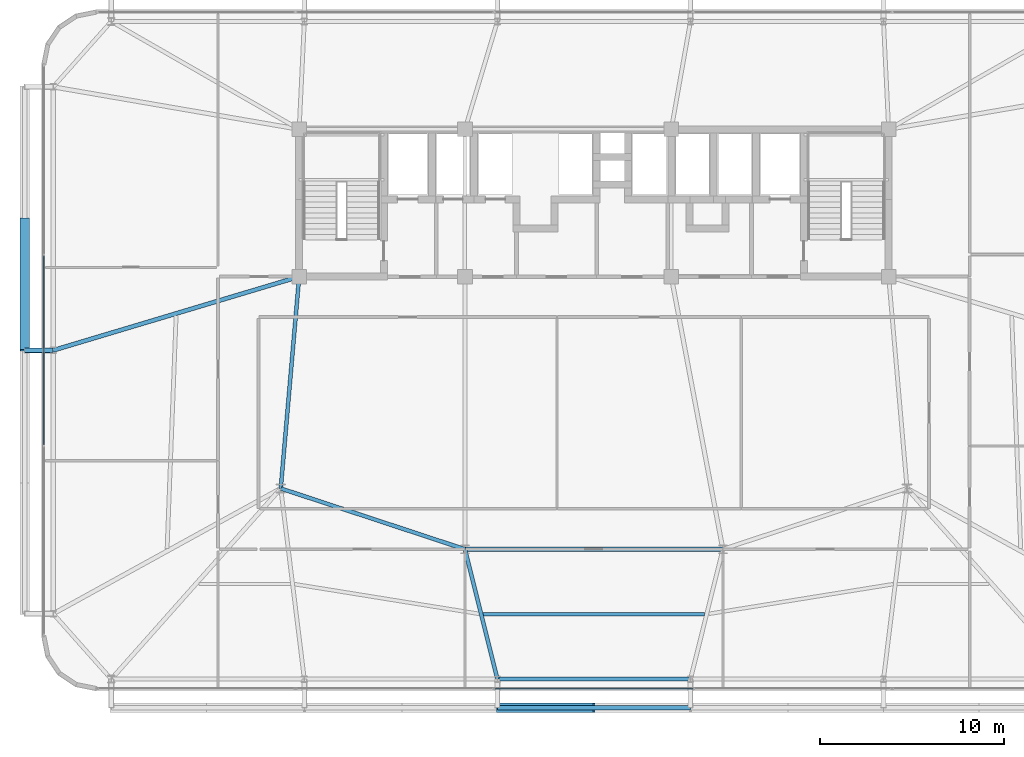
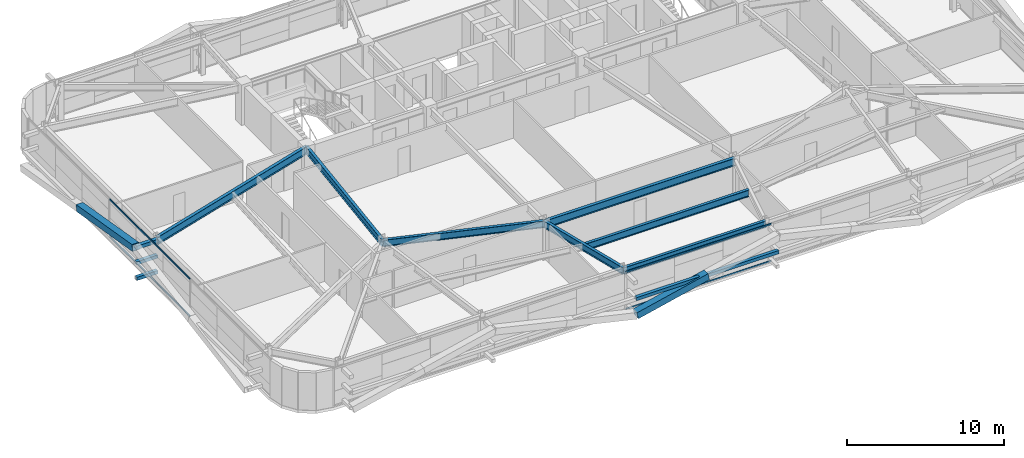
# One storey, part 10 of 44: 10 members, 7 beams, 2 elements without a shape of their own.
"""IFC4 building model written with IfcOpenShell, lengths in metres."""

from ifc_helpers import new_model, si_unit, direction, frame, origin, origin_2d, place, context, subcontext, project, spatial, hollow_rectangle, i_section, extrude, source, transform, mapped, material, layer, layer_set, material_profile, profile_set, type_object, element, aggregate, save


model = new_model("IFC4")

# Units and contexts
model_context = context("Model", 3, precision=1e-05, world=origin(), true_north=direction((0.0, 1.0)))
body_context = subcontext(model_context, "Body", "Model", "MODEL_VIEW")
ifc_project = project(units=[si_unit("LENGTHUNIT", "METRE"), si_unit("AREAUNIT", "SQUARE_METRE"), si_unit("VOLUMEUNIT", "CUBIC_METRE"), si_unit("PLANEANGLEUNIT", "RADIAN"), si_unit("MASSUNIT", "GRAM", prefix="KILO")], contexts=[model_context])

# Site, building, storey
site_placement = place(None, origin())
site = spatial("IfcSite", under=ifc_project, at=site_placement, CompositionType="ELEMENT")
building_placement = place(site_placement, origin())
building = spatial("IfcBuilding", under=site, at=building_placement, Name="Taldren Reach Tower", CompositionType="ELEMENT")
storey_placement = place(building_placement, frame((0.0, 0.0, 42.0)))
storey = spatial("IfcBuildingStorey", under=building, at=storey_placement, Name="L12", CompositionType="ELEMENT", Elevation=42.0)

# Beams
ifc_material_1 = material(Name="Steel Gr 350 (350PLUS)", Category="steel")
ifc_material_profile_1 = material_profile(ifc_material_1, i_section(OverallWidth=0.208984375, OverallDepth=0.532958984375, WebThickness=0.01025390625, FlangeThickness=0.015625, at=origin_2d()), Name="530UB92.4")
ifc_profile_set_1 = profile_set([ifc_material_profile_1], Name="Steel Gr 350 (350PLUS)")
beam_type_1 = type_object("IfcBeamType", Name="BM-UB530A", PredefinedType="BEAM", material=ifc_profile_set_1)
shared_shape_1 = source(origin(), body_context, "Body", "SweptSolid", [
    extrude(i_section(OverallWidth=0.208984375, OverallDepth=0.532958984375, WebThickness=0.01025390625, FlangeThickness=0.015625, at=origin_2d()), origin(), (0.0, 0.0, 1.0), 11.54345703125),
])
beam_1_placement = place(storey_placement, frame((19.0, 24.0, 2.66357421875), z_axis=(-0.086629616365, -0.996240588196, 0.0), x_axis=(0.996240588196, -0.086629616365, 0.0)))
element("IfcBeam", 1, at=beam_1_placement, inside=storey, type_object=beam_type_1, Name="Core-spine girder L12-SP09", PredefinedType="BEAM", context=body_context, shape_type="MappedRepresentation", body=[
    mapped(shared_shape_1, transform((0.0, 0.0, 0.0), scale=1.0)),
])
shared_shape_2 = source(origin(), body_context, "Body", "SweptSolid", [
    extrude(i_section(OverallWidth=0.208984375, OverallDepth=0.532958984375, WebThickness=0.01025390625, FlangeThickness=0.015625, at=origin_2d()), origin(), (0.0, 0.0, 1.0), 10.530517578125),
])
beam_2_placement = place(storey_placement, frame((18.0, 12.5, 2.66357421875), z_axis=(0.949627269203, -0.313381635689, 0.0), x_axis=(0.313381635689, 0.949627269203, 0.0)))
element("IfcBeam", 2, at=beam_2_placement, inside=storey, type_object=beam_type_1, Name="Core-spine girder L12-SP10", PredefinedType="BEAM", context=body_context, shape_type="MappedRepresentation", body=[
    mapped(shared_shape_2, transform((0.0, 0.0, 0.0), scale=1.0)),
])
ifc_material_profile_2 = material_profile(ifc_material_1, i_section(OverallWidth=0.22802734375, OverallDepth=0.60205078125, WebThickness=0.010498046875, FlangeThickness=0.014892578125, at=origin_2d()), Name="610UB101")
ifc_profile_set_2 = profile_set([ifc_material_profile_2], Name="Steel Gr 350 (350PLUS)")
beam_type_2 = type_object("IfcBeamType", Name="BM-UB610B", PredefinedType="BEAM", material=ifc_profile_set_2)
shared_shape_3 = source(origin(), body_context, "Body", "SweptSolid", [
    extrude(i_section(OverallWidth=0.22802734375, OverallDepth=0.60205078125, WebThickness=0.010498046875, FlangeThickness=0.014892578125, at=origin_2d()), origin(), (0.0, 0.0, 1.0), 14.0),
])
beam_3_placement = place(storey_placement, frame((28.0, 9.199951171875, 2.62890625), z_axis=(1.0, 0.0, 0.0), x_axis=(0.0, 1.0, 0.0)))
element("IfcBeam", 3, at=beam_3_placement, inside=storey, type_object=beam_type_2, Name="Core-spine girder L12-SP11", PredefinedType="BEAM", context=body_context, shape_type="MappedRepresentation", body=[
    mapped(shared_shape_3, transform((0.0, 0.0, 0.0), scale=1.0)),
])
ifc_material_profile_3 = material_profile(ifc_material_1, i_section(OverallWidth=0.208984375, OverallDepth=0.528076171875, WebThickness=0.009521484375, FlangeThickness=0.01318359375, at=origin_2d()), Name="530UB82.0")
ifc_profile_set_3 = profile_set([ifc_material_profile_3], Name="Steel Gr 350 (350PLUS)")
beam_type_3 = type_object("IfcBeamType", Name="SP-UB530B", PredefinedType="SPANDREL", material=ifc_profile_set_3)
shared_shape_4 = source(origin(), body_context, "Body", "SweptSolid", [
    extrude(i_section(OverallWidth=0.208984375, OverallDepth=0.528076171875, WebThickness=0.009521484375, FlangeThickness=0.01318359375, at=origin_2d()), origin(), (0.0, 0.0, 1.0), 10.47998046875),
])
beam_4_placement = place(storey_placement, frame((29.760009765625, 2.14990234375, 2.666015625), z_axis=(1.0, 0.0, 0.0), x_axis=(0.0, 1.0, 0.0)))
element("IfcBeam", 4, at=beam_4_placement, inside=storey, type_object=beam_type_3, Name="Perimeter spandrel B1 S3-S4 L12", PredefinedType="SPANDREL", context=body_context, shape_type="MappedRepresentation", body=[
    mapped(shared_shape_4, transform((0.0, 0.0, 0.0), scale=1.0)),
])
shared_shape_5 = source(origin(), body_context, "Body", "SweptSolid", [
    extrude(i_section(OverallWidth=0.208984375, OverallDepth=0.532958984375, WebThickness=0.01025390625, FlangeThickness=0.015625, at=origin_2d()), origin(), (0.0, 0.0, 1.0), 7.266357421875),
])
beam_5_placement = place(storey_placement, frame((28.0, 9.199951171875, 2.66357421875), z_axis=(0.24221148493, -0.970223477642, 0.0), x_axis=(0.970223477642, 0.24221148493, 0.0)))
element("IfcBeam", 5, at=beam_5_placement, inside=storey, type_object=beam_type_1, Name="Primary floor girder B1-S3 L12", PredefinedType="BEAM", context=body_context, shape_type="MappedRepresentation", body=[
    mapped(shared_shape_5, transform((0.0, 0.0, 0.0), scale=1.0)),
])
shared_shape_6 = source(origin(), body_context, "Body", "SweptSolid", [
    extrude(i_section(OverallWidth=0.22802734375, OverallDepth=0.60205078125, WebThickness=0.010498046875, FlangeThickness=0.014892578125, at=origin_2d()), origin(), (0.0, 0.0, 1.0), 13.9365234375),
])
beam_6_placement = place(storey_placement, frame((19.0, 24.0, 2.62890625), z_axis=(-0.957925550891, -0.287016792104, 0.0), x_axis=(0.287016792104, -0.957925550891, 0.0)))
element("IfcBeam", 6, at=beam_6_placement, inside=storey, type_object=beam_type_2, Name="Primary floor girder B1-W2 L12", PredefinedType="BEAM", context=body_context, shape_type="MappedRepresentation", body=[
    mapped(shared_shape_6, transform((0.0, 0.0, 0.0), scale=1.0)),
])
shared_shape_7 = source(origin(), body_context, "Body", "SweptSolid", [
    extrude(i_section(OverallWidth=0.208984375, OverallDepth=0.532958984375, WebThickness=0.01025390625, FlangeThickness=0.015625, at=origin_2d()), origin(), (0.0, 0.0, 1.0), 12.0244140625),
])
beam_7_placement = place(storey_placement, frame((28.98779296875, 5.675048828125, 2.66357421875), z_axis=(1.0, 0.0, 0.0), x_axis=(0.0, 1.0, 0.0)))
element("IfcBeam", 7, at=beam_7_placement, inside=storey, type_object=beam_type_1, Name="Secondary floor beam B1 J3 L12", PredefinedType="BEAM", context=body_context, shape_type="MappedRepresentation", body=[
    mapped(shared_shape_7, transform((0.0, 0.0, 0.0), scale=1.0)),
])

# Members
ifc_material_2 = material(Name="Steel Gr 450 (C450L0)", Category="steel")
ifc_material_profile_4 = material_profile(ifc_material_2, hollow_rectangle(XDim=0.27490234375, YDim=0.27490234375, WallThickness=0.00927734375, at=origin_2d()), Name="275x275x9.3SHS")
ifc_profile_set_4 = profile_set([ifc_material_profile_4], Name="Steel Gr 450 (C450L0)")
member_type_1 = type_object("IfcMemberType", Name="MB-TIE273", PredefinedType="STRUT", material=ifc_profile_set_4)
shared_shape_8 = source(origin(), body_context, "Body", "SweptSolid", [
    extrude(hollow_rectangle(XDim=0.27490234375, YDim=0.27490234375, WallThickness=0.00927734375, at=origin_2d()), origin(), (0.0, 0.0, 1.0), 1.5498046875),
])
member_1_placement = place(storey_placement, frame((5.64990234375, 20.0, 2.64990234375), z_axis=(-1.0, 0.0, 0.0), x_axis=(0.0, -1.0, 0.0)))
element("IfcMember", 8, at=member_1_placement, inside=storey, type_object=member_type_1, Name="Exoskeleton diaphragm tie strut B1-W2 L12", PredefinedType="STRUT", context=body_context, shape_type="MappedRepresentation", body=[
    mapped(shared_shape_8, transform((0.0, 0.0, 0.0), scale=1.0)),
])
ifc_material_profile_5 = material_profile(ifc_material_2, hollow_rectangle(XDim=0.510009765625, YDim=0.510009765625, WallThickness=0.02001953125, at=origin_2d()), Name="510x510x20.0SHS")
ifc_profile_set_5 = profile_set([ifc_material_profile_5], Name="Steel Gr 450 (C450L0)")
member_type_2 = type_object("IfcMemberType", Name="MB-EXO508", PredefinedType="BRACE", material=ifc_profile_set_5)
shared_shape_9 = source(origin(), body_context, "Body", "SweptSolid", [
    extrude(hollow_rectangle(XDim=0.510009765625, YDim=0.510009765625, WallThickness=0.02001953125, at=origin_2d()), origin(), (0.0, 0.0, 1.0), 5.37890625),
])
member_2_placement = place(storey_placement, frame((29.760009765625, 0.60009765625, 0.219970703125), z_axis=(0.97415197996, 0.0, 0.225893603143), x_axis=(0.0, 1.0, 0.0)))
element("IfcMember", 9, at=member_2_placement, inside=storey, type_object=member_type_2, Name="Exoskeleton Diagrid Brace B1-S3 L12", PredefinedType="BRACE", context=body_context, shape_type="MappedRepresentation", body=[
    mapped(shared_shape_9, transform((0.0, 0.0, 0.0), scale=1.0)),
])
ifc_material_3 = material(Name="Steel Gr 350 (C350L0)", Category="steel")
ifc_material_profile_6 = material_profile(ifc_material_3, hollow_rectangle(XDim=0.25, YDim=0.25, WallThickness=0.010009765625, at=origin_2d()), Name="250x250x10.0SHS")
ifc_profile_set_6 = profile_set([ifc_material_profile_6], Name="Steel Gr 350 (C350L0)")
member_type_3 = type_object("IfcMemberType", Name="MB-POST250", PredefinedType="POST", material=ifc_profile_set_6)
shared_shape_10 = source(origin(), body_context, "Body", "SweptSolid", [
    extrude(hollow_rectangle(XDim=0.25, YDim=0.25, WallThickness=0.010009765625, at=origin_2d()), origin(), (0.0, 0.0, 1.0), 10.47998046875),
])
member_3_placement = place(storey_placement, frame((29.760009765625, 0.60009765625, 1.43505859375), z_axis=(1.0, 0.0, 0.0), x_axis=(0.0, 1.0, 0.0)))
element("IfcMember", 10, at=member_3_placement, inside=storey, type_object=member_type_3, Name="Exoskeleton mid-height ring chord B1-S3 L12", PredefinedType="POST", context=body_context, shape_type="MappedRepresentation", body=[
    mapped(shared_shape_10, transform((0.0, 0.0, 0.0), scale=1.0)),
])
shared_shape_11 = source(origin(), body_context, "Body", "SweptSolid", [
    extrude(hollow_rectangle(XDim=0.25, YDim=0.25, WallThickness=0.010009765625, at=origin_2d()), origin(), (0.0, 0.0, 1.0), 1.5498046875),
])
for number, where, z_axis, x_axis, name in (
    (11, (5.64990234375, 20.0, 0.219970703125), (-1.0, 0.0, 0.0), (0.0, -1.0, 0.0), "Exoskeleton base diaphragm tie strut B1-W2 L12"),
    (12, (5.64990234375, 20.0, 1.43505859375), (-1.0, 0.0, 0.0), (0.0, -1.0, 0.0), "Exoskeleton mid-tier diaphragm tie B1-W2 L12"),
):
    element("IfcMember", number, at=place(storey_placement, frame(where, z_axis=z_axis, x_axis=x_axis)), inside=storey, type_object=member_type_3, Name=name, PredefinedType="POST", context=body_context, shape_type="MappedRepresentation", body=[
        mapped(shared_shape_11, transform((0.0, 0.0, 0.0), scale=1.0)),
    ])
shared_shape_12 = source(origin(), body_context, "Body", "SweptSolid", [
    extrude(hollow_rectangle(XDim=0.510009765625, YDim=0.510009765625, WallThickness=0.02001953125, at=origin_2d()), origin(), (0.0, 0.0, 1.0), 7.25244140625),
])
member_4_placement = place(storey_placement, frame((4.10009765625, 27.14990234375, 1.43505859375), z_axis=(0.0, -0.985870415536, 0.167509772168), x_axis=(1.0, 0.0, 0.0)))
element("IfcMember", 13, at=member_4_placement, inside=storey, type_object=member_type_2, Name="Exoskeleton Diagrid Brace B1-W2 L12", PredefinedType="BRACE", context=body_context, shape_type="MappedRepresentation", body=[
    mapped(shared_shape_12, transform((0.0, 0.0, 0.0), scale=1.0)),
])

# Curtain wall, members
ifc_material_4 = material(Name="Aluminium and Low-E Glass Unitised System", Category="aluminium")
ifc_layer = layer(ifc_material_4, 0.159912109375)
ifc_layer_set = layer_set([ifc_layer], Name="Aluminium and Low-E Glass Unitised System")
curtain_wall_type = type_object("IfcCurtainWallType", Name="CW-SYS-2", PredefinedType="NOTDEFINED", material=ifc_layer_set)
curtain_wall_1_placement = place(storey_placement, origin())
curtain_wall_1 = element("IfcCurtainWall", 14, at=curtain_wall_1_placement, inside=storey, type_object=curtain_wall_type, Name="Unitised curtain wall CW-L12-S", PredefinedType="NOTDEFINED")
ifc_material_5 = material(Name="Anodised Aluminium 6063-T6", Category="aluminium")
ifc_material_profile_7 = material_profile(ifc_material_5, hollow_rectangle(XDim=0.054931640625, YDim=0.1201171875, WallThickness=0.0029296875, at=origin_2d()), Name="ALU-120x55x3RHS")
ifc_profile_set_7 = profile_set([ifc_material_profile_7], Name="Anodised Aluminium 6063-T6")
member_type_4 = type_object("IfcMemberType", Name="CW-TRN-135", PredefinedType="USERDEFINED", material=ifc_profile_set_7)
shared_shape_13 = source(origin(), body_context, "Body", "SweptSolid", [
    extrude(hollow_rectangle(XDim=0.054931640625, YDim=0.1201171875, WallThickness=0.0029296875, at=origin_2d()), origin(), (0.0, 0.0, 1.0), 10.73486328125),
])
member_5_placement = place(storey_placement, frame((29.632568359375, 1.639892578125, 0.027587890625), z_axis=(1.0, 0.0, 0.0), x_axis=(0.0, 1.0, 0.0)))
member_5 = element("IfcMember", 15, at=member_5_placement, type_object=member_type_4, Name="CW-2 transom 3.1", ObjectType="TRANSOM", PredefinedType="USERDEFINED", context=body_context, shape_type="MappedRepresentation", body=[
    mapped(shared_shape_13, transform((0.0, 0.0, 0.0), scale=1.0)),
])
member_6_placement = place(storey_placement, frame((29.632568359375, 1.639892578125, 2.902587890625), z_axis=(1.0, 0.0, 0.0), x_axis=(0.0, 1.0, 0.0)))
member_6 = element("IfcMember", 16, at=member_6_placement, type_object=member_type_4, Name="CW-2 transom 3.2", ObjectType="TRANSOM", PredefinedType="USERDEFINED", context=body_context, shape_type="MappedRepresentation", body=[
    mapped(shared_shape_13, transform((0.0, 0.0, 0.0), scale=1.0)),
])
aggregate(curtain_wall_1, [member_5, member_6])

curtain_wall_2_placement = place(storey_placement, origin())
curtain_wall_2 = element("IfcCurtainWall", 17, at=curtain_wall_2_placement, inside=storey, type_object=curtain_wall_type, Name="Unitised curtain wall CW-L12-W", PredefinedType="NOTDEFINED")
shared_shape_14 = source(origin(), body_context, "Body", "SweptSolid", [
    extrude(hollow_rectangle(XDim=0.054931640625, YDim=0.1201171875, WallThickness=0.0029296875, at=origin_2d()), origin(), (0.0, 0.0, 1.0), 10.2685546875),
])
member_7_placement = place(storey_placement, frame((5.139892578125, 25.13427734375, 0.027587890625), z_axis=(0.0, -1.0, 0.0), x_axis=(1.0, 0.0, 0.0)))
member_7 = element("IfcMember", 18, at=member_7_placement, type_object=member_type_4, Name="CW-2 transom 2.1", ObjectType="TRANSOM", PredefinedType="USERDEFINED", context=body_context, shape_type="MappedRepresentation", body=[
    mapped(shared_shape_14, transform((0.0, 0.0, 0.0), scale=1.0)),
])
member_8_placement = place(storey_placement, frame((5.139892578125, 25.13427734375, 2.902587890625), z_axis=(0.0, -1.0, 0.0), x_axis=(1.0, 0.0, 0.0)))
member_8 = element("IfcMember", 19, at=member_8_placement, type_object=member_type_4, Name="CW-2 transom 2.2", ObjectType="TRANSOM", PredefinedType="USERDEFINED", context=body_context, shape_type="MappedRepresentation", body=[
    mapped(shared_shape_14, transform((0.0, 0.0, 0.0), scale=1.0)),
])
aggregate(curtain_wall_2, [member_7, member_8])

save(model, "model.ifc")
